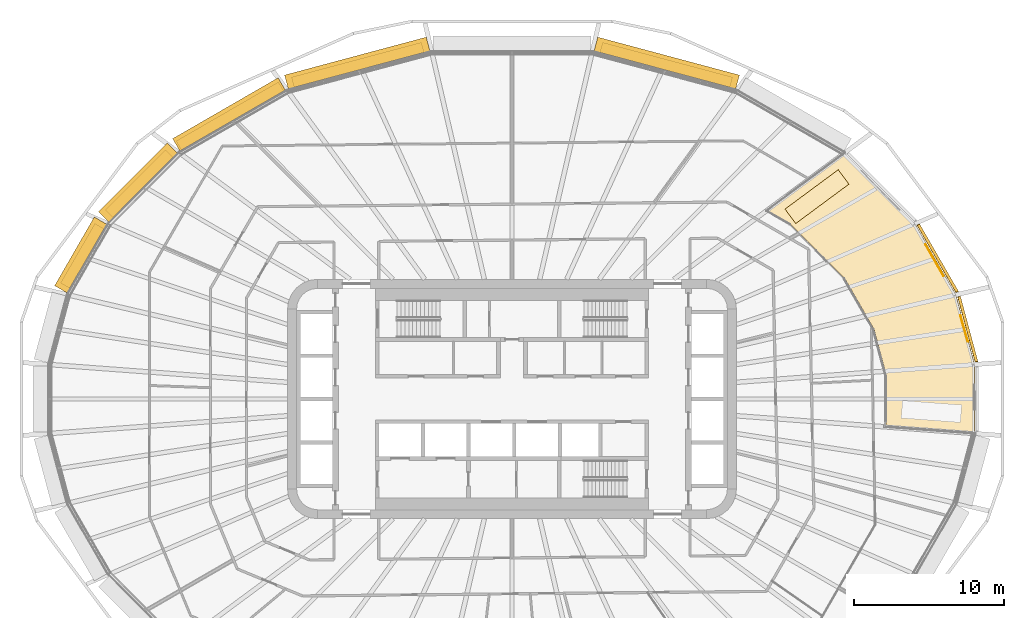
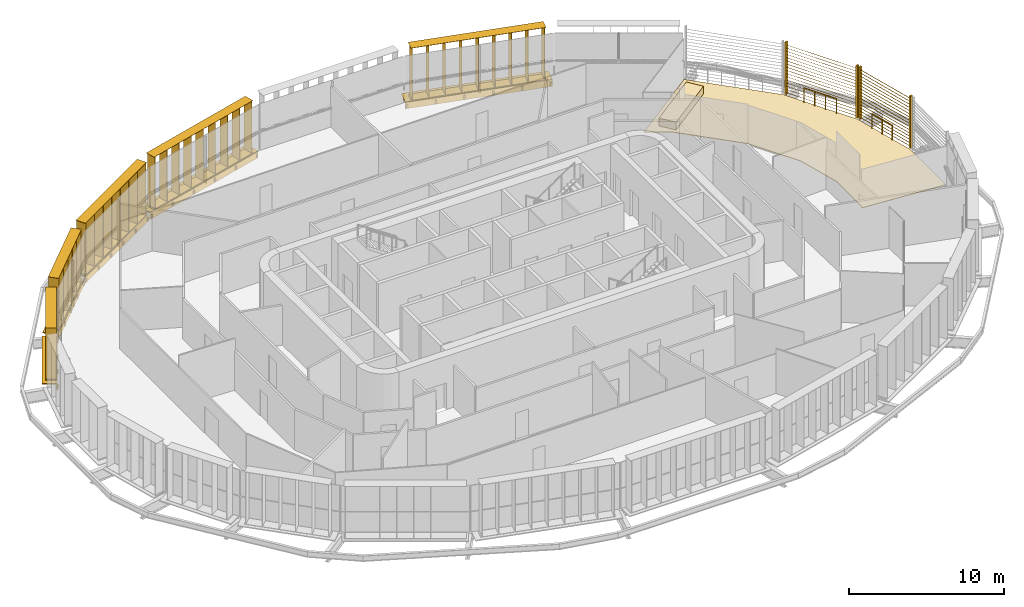
# One storey, part 23 of 24: 12 shading devices, 2 coverings, 2 railings.
"""IFC4 building model written with IfcOpenShell, lengths in metres."""

from ifc_helpers import new_model, si_unit, direction, frame, origin, origin_2d, place, context, subcontext, project, spatial, polyline, rectangle, circle, outline, extrude, material, layer, layer_set, type_object, element, save


model = new_model("IFC4")

# Units and contexts
model_context = context("Model", 3, precision=1e-05, world=origin(), true_north=direction((0.0, 1.0)))
body_context = subcontext(model_context, "Body", "Model", "MODEL_VIEW")
ifc_project = project(units=[si_unit("LENGTHUNIT", "METRE"), si_unit("AREAUNIT", "SQUARE_METRE"), si_unit("VOLUMEUNIT", "CUBIC_METRE"), si_unit("PLANEANGLEUNIT", "RADIAN"), si_unit("MASSUNIT", "GRAM", prefix="KILO")], contexts=[model_context])

# Site, building, storey
site_placement = place(None, origin())
site = spatial("IfcSite", under=ifc_project, at=site_placement, CompositionType="ELEMENT")
building_placement = place(site_placement, origin())
building = spatial("IfcBuilding", under=site, at=building_placement, Name="Sahrelin Media Tower", CompositionType="ELEMENT")
storey_placement = place(building_placement, frame((0.0, 0.0, 67.199951171875)))
storey = spatial("IfcBuildingStorey", under=building, at=storey_placement, Name="L11", CompositionType="ELEMENT", Elevation=67.199951171875)

# Shading devices
ifc_material_1 = material(Name="Champagne anodised aluminium 6063-T6", Category="aluminium")
shading_device_type_1 = type_object("IfcShadingDeviceType", Name="Fin cassette", PredefinedType="USERDEFINED", material=ifc_material_1)
placement_1 = place(storey_placement, frame((10.200439453125, 21.928955078125, 0.0), z_axis=(0.0, 0.0, 1.0), x_axis=(0.965928857556, -0.258807731996, 0.0)))
element("IfcShadingDevice", 1, at=placement_1, inside=storey, type_object=shading_device_type_1, Name="L11:FIN:L11-05", ObjectType="FIN", PredefinedType="USERDEFINED", context=body_context, shape_type="SweptSolid", body=[
    extrude(rectangle(XDim=9.0, YDim=0.699951171875, at=origin_2d()), frame((0.0, 0.419921875, 0.0)), (0.0, 0.0, 1.0), 0.02001953125),
    extrude(rectangle(XDim=9.0, YDim=0.699951171875, at=origin_2d()), frame((0.0, 0.419921875, 4.10009765625)), (0.0, 0.0, 1.0), 0.02001953125),
    extrude(rectangle(XDim=0.02001953125, YDim=0.699951171875, at=origin_2d()), frame((-4.39990234375, 0.419921875, 0.010009765625), z_axis=(0.0, 0.0, 1.0), x_axis=(1.0, 0.0, 0.0)), (0.0, 0.0, 1.0), 4.10009765625),
    extrude(rectangle(XDim=0.02001953125, YDim=0.699951171875, at=origin_2d()), frame((-3.300048828125, 0.419921875, 0.010009765625), z_axis=(0.0, 0.0, 1.0), x_axis=(1.0, 0.0, 0.0)), (0.0, 0.0, 1.0), 4.10009765625),
    extrude(rectangle(XDim=0.02001953125, YDim=0.699951171875, at=origin_2d()), frame((-2.199951171875, 0.419921875, 0.010009765625), z_axis=(0.0, 0.0, 1.0), x_axis=(1.0, 0.0, 0.0)), (0.0, 0.0, 1.0), 4.10009765625),
    extrude(rectangle(XDim=0.02001953125, YDim=0.699951171875, at=origin_2d()), frame((-1.10009765625, 0.419921875, 0.010009765625), z_axis=(0.0, 0.0, 1.0), x_axis=(1.0, 0.0, 0.0)), (0.0, 0.0, 1.0), 4.10009765625),
    extrude(rectangle(XDim=0.02001953125, YDim=0.699951171875, at=origin_2d()), frame((0.0, 0.419921875, 0.010009765625), z_axis=(0.0, 0.0, 1.0), x_axis=(1.0, 0.0, 0.0)), (0.0, 0.0, 1.0), 4.10009765625),
    extrude(rectangle(XDim=0.02001953125, YDim=0.699951171875, at=origin_2d()), frame((1.10009765625, 0.419921875, 0.010009765625), z_axis=(0.0, 0.0, 1.0), x_axis=(1.0, 0.0, 0.0)), (0.0, 0.0, 1.0), 4.10009765625),
    extrude(rectangle(XDim=0.02001953125, YDim=0.699951171875, at=origin_2d()), frame((2.199951171875, 0.419921875, 0.010009765625), z_axis=(0.0, 0.0, 1.0), x_axis=(1.0, 0.0, 0.0)), (0.0, 0.0, 1.0), 4.10009765625),
    extrude(rectangle(XDim=0.02001953125, YDim=0.699951171875, at=origin_2d()), frame((3.300048828125, 0.419921875, 0.010009765625), z_axis=(0.0, 0.0, 1.0), x_axis=(1.0, 0.0, 0.0)), (0.0, 0.0, 1.0), 4.10009765625),
    extrude(rectangle(XDim=0.02001953125, YDim=0.699951171875, at=origin_2d()), frame((4.39990234375, 0.419921875, 0.010009765625), z_axis=(0.0, 0.0, 1.0), x_axis=(1.0, 0.0, 0.0)), (0.0, 0.0, 1.0), 4.10009765625),
])
placement_2 = place(storey_placement, frame((-10.200439453125, 21.928955078125, 0.0), z_axis=(0.0, 0.0, 1.0), x_axis=(0.965928857556, 0.258807731996, 0.0)))
element("IfcShadingDevice", 2, at=placement_2, inside=storey, type_object=shading_device_type_1, Name="L11:FIN:L11-07", ObjectType="FIN", PredefinedType="USERDEFINED", context=body_context, shape_type="SweptSolid", body=[
    extrude(rectangle(XDim=9.0, YDim=0.699951171875, at=origin_2d()), frame((0.0, 0.419921875, 0.0)), (0.0, 0.0, 1.0), 0.02001953125),
    extrude(rectangle(XDim=9.0, YDim=0.699951171875, at=origin_2d()), frame((0.0, 0.419921875, 4.10009765625)), (0.0, 0.0, 1.0), 0.02001953125),
    extrude(rectangle(XDim=0.02001953125, YDim=0.699951171875, at=origin_2d()), frame((-4.39990234375, 0.419921875, 0.010009765625), z_axis=(0.0, 0.0, 1.0), x_axis=(1.0, 0.0, 0.0)), (0.0, 0.0, 1.0), 4.10009765625),
    extrude(rectangle(XDim=0.02001953125, YDim=0.699951171875, at=origin_2d()), frame((-3.300048828125, 0.419921875, 0.010009765625), z_axis=(0.0, 0.0, 1.0), x_axis=(1.0, 0.0, 0.0)), (0.0, 0.0, 1.0), 4.10009765625),
    extrude(rectangle(XDim=0.02001953125, YDim=0.699951171875, at=origin_2d()), frame((-2.199951171875, 0.419921875, 0.010009765625), z_axis=(0.0, 0.0, 1.0), x_axis=(1.0, 0.0, 0.0)), (0.0, 0.0, 1.0), 4.10009765625),
    extrude(rectangle(XDim=0.02001953125, YDim=0.699951171875, at=origin_2d()), frame((-1.10009765625, 0.419921875, 0.010009765625), z_axis=(0.0, 0.0, 1.0), x_axis=(1.0, 0.0, 0.0)), (0.0, 0.0, 1.0), 4.10009765625),
    extrude(rectangle(XDim=0.02001953125, YDim=0.699951171875, at=origin_2d()), frame((0.0, 0.419921875, 0.010009765625), z_axis=(0.0, 0.0, 1.0), x_axis=(1.0, 0.0, 0.0)), (0.0, 0.0, 1.0), 4.10009765625),
    extrude(rectangle(XDim=0.02001953125, YDim=0.699951171875, at=origin_2d()), frame((1.10009765625, 0.419921875, 0.010009765625), z_axis=(0.0, 0.0, 1.0), x_axis=(1.0, 0.0, 0.0)), (0.0, 0.0, 1.0), 4.10009765625),
    extrude(rectangle(XDim=0.02001953125, YDim=0.699951171875, at=origin_2d()), frame((2.199951171875, 0.419921875, 0.010009765625), z_axis=(0.0, 0.0, 1.0), x_axis=(1.0, 0.0, 0.0)), (0.0, 0.0, 1.0), 4.10009765625),
    extrude(rectangle(XDim=0.02001953125, YDim=0.699951171875, at=origin_2d()), frame((3.300048828125, 0.419921875, 0.010009765625), z_axis=(0.0, 0.0, 1.0), x_axis=(1.0, 0.0, 0.0)), (0.0, 0.0, 1.0), 4.10009765625),
    extrude(rectangle(XDim=0.02001953125, YDim=0.699951171875, at=origin_2d()), frame((4.39990234375, 0.419921875, 0.010009765625), z_axis=(0.0, 0.0, 1.0), x_axis=(1.0, 0.0, 0.0)), (0.0, 0.0, 1.0), 4.10009765625),
])
placement_3 = place(storey_placement, frame((-18.6416015625, 18.5498046875, 0.0), z_axis=(0.0, 0.0, 1.0), x_axis=(0.866019052629, 0.500011000363, 0.0)))
element("IfcShadingDevice", 3, at=placement_3, inside=storey, type_object=shading_device_type_1, Name="L11:FIN:L11-08", ObjectType="FIN", PredefinedType="USERDEFINED", context=body_context, shape_type="SweptSolid", body=[
    extrude(rectangle(XDim=7.89990234375, YDim=0.699951171875, at=origin_2d()), frame((0.0, 0.419921875, 0.0)), (0.0, 0.0, 1.0), 0.02001953125),
    extrude(rectangle(XDim=7.89990234375, YDim=0.699951171875, at=origin_2d()), frame((0.0, 0.419921875, 4.10009765625)), (0.0, 0.0, 1.0), 0.02001953125),
    extrude(rectangle(XDim=0.02001953125, YDim=0.699951171875, at=origin_2d()), frame((-3.85009765625, 0.419921875, 0.010009765625), z_axis=(0.0, 0.0, 1.0), x_axis=(1.0, 0.0, 0.0)), (0.0, 0.0, 1.0), 4.10009765625),
    extrude(rectangle(XDim=0.02001953125, YDim=0.699951171875, at=origin_2d()), frame((-2.75, 0.419921875, 0.010009765625), z_axis=(0.0, 0.0, 1.0), x_axis=(1.0, 0.0, 0.0)), (0.0, 0.0, 1.0), 4.10009765625),
    extrude(rectangle(XDim=0.02001953125, YDim=0.699951171875, at=origin_2d()), frame((-1.64990234375, 0.419921875, 0.010009765625), z_axis=(0.0, 0.0, 1.0), x_axis=(1.0, 0.0, 0.0)), (0.0, 0.0, 1.0), 4.10009765625),
    extrude(rectangle(XDim=0.02001953125, YDim=0.699951171875, at=origin_2d()), frame((-0.550048828125, 0.419921875, 0.010009765625), z_axis=(0.0, 0.0, 1.0), x_axis=(1.0, 0.0, 0.0)), (0.0, 0.0, 1.0), 4.10009765625),
    extrude(rectangle(XDim=0.02001953125, YDim=0.699951171875, at=origin_2d()), frame((0.550048828125, 0.419921875, 0.010009765625), z_axis=(0.0, 0.0, 1.0), x_axis=(1.0, 0.0, 0.0)), (0.0, 0.0, 1.0), 4.10009765625),
    extrude(rectangle(XDim=0.02001953125, YDim=0.699951171875, at=origin_2d()), frame((1.64990234375, 0.419921875, 0.010009765625), z_axis=(0.0, 0.0, 1.0), x_axis=(1.0, 0.0, 0.0)), (0.0, 0.0, 1.0), 4.10009765625),
    extrude(rectangle(XDim=0.02001953125, YDim=0.699951171875, at=origin_2d()), frame((2.75, 0.419921875, 0.010009765625), z_axis=(0.0, 0.0, 1.0), x_axis=(1.0, 0.0, 0.0)), (0.0, 0.0, 1.0), 4.10009765625),
    extrude(rectangle(XDim=0.02001953125, YDim=0.699951171875, at=origin_2d()), frame((3.85009765625, 0.419921875, 0.010009765625), z_axis=(0.0, 0.0, 1.0), x_axis=(1.0, 0.0, 0.0)), (0.0, 0.0, 1.0), 4.10009765625),
])
placement_4 = place(storey_placement, frame((-24.616455078125, 14.101318359375, 0.0), z_axis=(0.0, 0.0, 1.0), x_axis=(0.707106781187, 0.707106781187, 0.0)))
element("IfcShadingDevice", 4, at=placement_4, inside=storey, type_object=shading_device_type_1, Name="L11:FIN:L11-09", ObjectType="FIN", PredefinedType="USERDEFINED", context=body_context, shape_type="SweptSolid", body=[
    extrude(rectangle(XDim=5.699951171875, YDim=0.699951171875, at=origin_2d()), frame((0.0, 0.419921875, 0.0)), (0.0, 0.0, 1.0), 0.02001953125),
    extrude(rectangle(XDim=5.699951171875, YDim=0.699951171875, at=origin_2d()), frame((0.0, 0.419921875, 4.10009765625)), (0.0, 0.0, 1.0), 0.02001953125),
    extrude(rectangle(XDim=0.02001953125, YDim=0.699951171875, at=origin_2d()), frame((-2.75, 0.419921875, 0.010009765625), z_axis=(0.0, 0.0, 1.0), x_axis=(1.0, 0.0, 0.0)), (0.0, 0.0, 1.0), 4.10009765625),
    extrude(rectangle(XDim=0.02001953125, YDim=0.699951171875, at=origin_2d()), frame((-1.64990234375, 0.419921875, 0.010009765625), z_axis=(0.0, 0.0, 1.0), x_axis=(1.0, 0.0, 0.0)), (0.0, 0.0, 1.0), 4.10009765625),
    extrude(rectangle(XDim=0.02001953125, YDim=0.699951171875, at=origin_2d()), frame((-0.550048828125, 0.419921875, 0.010009765625), z_axis=(0.0, 0.0, 1.0), x_axis=(1.0, 0.0, 0.0)), (0.0, 0.0, 1.0), 4.10009765625),
    extrude(rectangle(XDim=0.02001953125, YDim=0.699951171875, at=origin_2d()), frame((0.550048828125, 0.419921875, 0.010009765625), z_axis=(0.0, 0.0, 1.0), x_axis=(1.0, 0.0, 0.0)), (0.0, 0.0, 1.0), 4.10009765625),
    extrude(rectangle(XDim=0.02001953125, YDim=0.699951171875, at=origin_2d()), frame((1.64990234375, 0.419921875, 0.010009765625), z_axis=(0.0, 0.0, 1.0), x_axis=(1.0, 0.0, 0.0)), (0.0, 0.0, 1.0), 4.10009765625),
    extrude(rectangle(XDim=0.02001953125, YDim=0.699951171875, at=origin_2d()), frame((2.75, 0.419921875, 0.010009765625), z_axis=(0.0, 0.0, 1.0), x_axis=(1.0, 0.0, 0.0)), (0.0, 0.0, 1.0), 4.10009765625),
])
placement_5 = place(storey_placement, frame((-28.354736328125, 9.356689453125, 0.0), z_axis=(0.0, 0.0, 1.0), x_axis=(0.500011000363, 0.866019052629, 0.0)))
element("IfcShadingDevice", 5, at=placement_5, inside=storey, type_object=shading_device_type_1, Name="L11:FIN:L11-10", ObjectType="FIN", PredefinedType="USERDEFINED", context=body_context, shape_type="SweptSolid", body=[
    extrude(rectangle(XDim=4.60009765625, YDim=0.699951171875, at=origin_2d()), frame((0.0, 0.419921875, 0.0)), (0.0, 0.0, 1.0), 0.02001953125),
    extrude(rectangle(XDim=4.60009765625, YDim=0.699951171875, at=origin_2d()), frame((0.0, 0.419921875, 4.10009765625)), (0.0, 0.0, 1.0), 0.02001953125),
    extrude(rectangle(XDim=0.02001953125, YDim=0.699951171875, at=origin_2d()), frame((-2.199951171875, 0.419921875, 0.010009765625), z_axis=(0.0, 0.0, 1.0), x_axis=(1.0, 0.0, 0.0)), (0.0, 0.0, 1.0), 4.10009765625),
    extrude(rectangle(XDim=0.02001953125, YDim=0.699951171875, at=origin_2d()), frame((-1.10009765625, 0.419921875, 0.010009765625), z_axis=(0.0, 0.0, 1.0), x_axis=(1.0, 0.0, 0.0)), (0.0, 0.0, 1.0), 4.10009765625),
    extrude(rectangle(XDim=0.02001953125, YDim=0.699951171875, at=origin_2d()), frame((0.0, 0.419921875, 0.010009765625), z_axis=(0.0, 0.0, 1.0), x_axis=(1.0, 0.0, 0.0)), (0.0, 0.0, 1.0), 4.10009765625),
    extrude(rectangle(XDim=0.02001953125, YDim=0.699951171875, at=origin_2d()), frame((1.10009765625, 0.419921875, 0.010009765625), z_axis=(0.0, 0.0, 1.0), x_axis=(1.0, 0.0, 0.0)), (0.0, 0.0, 1.0), 4.10009765625),
    extrude(rectangle(XDim=0.02001953125, YDim=0.699951171875, at=origin_2d()), frame((2.199951171875, 0.419921875, 0.010009765625), z_axis=(0.0, 0.0, 1.0), x_axis=(1.0, 0.0, 0.0)), (0.0, 0.0, 1.0), 4.10009765625),
])

# Covering
ifc_material_2 = material(Name="Stone paving", Category="masonry")
ifc_layer = layer(ifc_material_2, 0.0400390625)
ifc_layer_set = layer_set([ifc_layer], Name="Garden paving")
covering_type_1 = type_object("IfcCoveringType", Name="Garden paving", PredefinedType="FLOORING", material=ifc_layer_set)
covering_1_placement = place(storey_placement, origin())
element("IfcCovering", 6, at=covering_1_placement, inside=storey, type_object=covering_type_1, Name="Garden paving G1", PredefinedType="FLOORING", context=body_context, shape_type="SweptSolid", body=[
    extrude(outline(polyline([(29.682861328125, 6.956298828125), (30.9296875, 2.302734375), (30.9296875, -2.25537109375), (24.95361328125, -1.809814453125), (25.02978515625, -1.52587890625), (25.02978515625, 1.52587890625), (24.18505859375, 4.678955078125), (22.21875, 8.08447265625), (18.599365234375, 11.703857421875), (17.084228515625, 12.57861328125), (22.247802734375, 16.3994140625), (26.93994140625, 11.70703125), (29.682861328125, 6.956298828125)])), origin(), (0.0, 0.0, 1.0), 0.0400390625),
])

# Shading devices
shading_device_type_2 = type_object("IfcShadingDeviceType", Name="Garden screen", PredefinedType="USERDEFINED", material=ifc_material_1)
shading_device_6_placement = place(storey_placement, frame((30.3544921875, 4.642333984375, 0.0), z_axis=(0.0, 0.0, 1.0), x_axis=(0.258807731996, -0.965928857556, 0.0)))
element("IfcShadingDevice", 7, at=shading_device_6_placement, inside=storey, type_object=shading_device_type_2, Name="L11:SCREEN:L11-01", ObjectType="SCREEN", PredefinedType="USERDEFINED", context=body_context, shape_type="SweptSolid", body=[
    extrude(rectangle(XDim=0.1201171875, YDim=0.199951171875, at=origin_2d()), frame((2.305419921875, 0.10009765625, 0.050048828125), z_axis=(0.0, 0.0, 1.0), x_axis=(1.0, 0.0, 0.0)), (0.0, 0.0, 1.0), 4.099853515625),
    extrude(rectangle(XDim=0.1201171875, YDim=0.199951171875, at=origin_2d()), frame((-2.305419921875, 0.10009765625, 0.050048828125), z_axis=(0.0, 0.0, 1.0), x_axis=(1.0, 0.0, 0.0)), (0.0, 0.0, 1.0), 4.099853515625),
    extrude(rectangle(XDim=0.25, YDim=0.02001953125, at=origin_2d()), frame((2.245361328125, 0.10009765625, 0.14990234375), z_axis=(-1.0, 0.0, 0.0), x_axis=(0.0, -0.766044443119, 0.642787609687)), (0.0, 0.0, 1.0), 4.49072265625),
    extrude(rectangle(XDim=0.25, YDim=0.02001953125, at=origin_2d()), frame((2.245361328125, 0.10009765625, 0.39990234375), z_axis=(-1.0, 0.0, 0.0), x_axis=(0.0, -0.766044443119, 0.642787609687)), (0.0, 0.0, 1.0), 4.49072265625),
    extrude(rectangle(XDim=0.25, YDim=0.02001953125, at=origin_2d()), frame((2.245361328125, 0.10009765625, 0.64990234375), z_axis=(-1.0, 0.0, 0.0), x_axis=(0.0, -0.766044443119, 0.642787609687)), (0.0, 0.0, 1.0), 4.49072265625),
    extrude(rectangle(XDim=0.25, YDim=0.02001953125, at=origin_2d()), frame((2.245361328125, 0.10009765625, 0.89990234375), z_axis=(-1.0, 0.0, 0.0), x_axis=(0.0, -0.766044443119, 0.642787609687)), (0.0, 0.0, 1.0), 4.49072265625),
    extrude(rectangle(XDim=0.25, YDim=0.02001953125, at=origin_2d()), frame((2.245361328125, 0.10009765625, 1.14990234375), z_axis=(-1.0, 0.0, 0.0), x_axis=(0.0, -0.766044443119, 0.642787609687)), (0.0, 0.0, 1.0), 4.49072265625),
    extrude(rectangle(XDim=0.25, YDim=0.02001953125, at=origin_2d()), frame((2.245361328125, 0.10009765625, 1.39990234375), z_axis=(-1.0, 0.0, 0.0), x_axis=(0.0, -0.766044443119, 0.642787609687)), (0.0, 0.0, 1.0), 4.49072265625),
    extrude(rectangle(XDim=0.25, YDim=0.02001953125, at=origin_2d()), frame((2.245361328125, 0.10009765625, 1.64990234375), z_axis=(-1.0, 0.0, 0.0), x_axis=(0.0, -0.766044443119, 0.642787609687)), (0.0, 0.0, 1.0), 4.49072265625),
    extrude(rectangle(XDim=0.25, YDim=0.02001953125, at=origin_2d()), frame((2.245361328125, 0.10009765625, 1.89990234375), z_axis=(-1.0, 0.0, 0.0), x_axis=(0.0, -0.766044443119, 0.642787609687)), (0.0, 0.0, 1.0), 4.49072265625),
    extrude(rectangle(XDim=0.25, YDim=0.02001953125, at=origin_2d()), frame((2.245361328125, 0.10009765625, 2.14990234375), z_axis=(-1.0, 0.0, 0.0), x_axis=(0.0, -0.766044443119, 0.642787609687)), (0.0, 0.0, 1.0), 4.49072265625),
    extrude(rectangle(XDim=0.25, YDim=0.02001953125, at=origin_2d()), frame((2.245361328125, 0.10009765625, 2.39990234375), z_axis=(-1.0, 0.0, 0.0), x_axis=(0.0, -0.766044443119, 0.642787609687)), (0.0, 0.0, 1.0), 4.49072265625),
    extrude(rectangle(XDim=0.25, YDim=0.02001953125, at=origin_2d()), frame((2.245361328125, 0.10009765625, 2.64990234375), z_axis=(-1.0, 0.0, 0.0), x_axis=(0.0, -0.766044443119, 0.642787609687)), (0.0, 0.0, 1.0), 4.49072265625),
    extrude(rectangle(XDim=0.25, YDim=0.02001953125, at=origin_2d()), frame((2.245361328125, 0.10009765625, 2.89990234375), z_axis=(-1.0, 0.0, 0.0), x_axis=(0.0, -0.766044443119, 0.642787609687)), (0.0, 0.0, 1.0), 4.49072265625),
    extrude(rectangle(XDim=0.25, YDim=0.02001953125, at=origin_2d()), frame((2.245361328125, 0.10009765625, 3.14990234375), z_axis=(-1.0, 0.0, 0.0), x_axis=(0.0, -0.766044443119, 0.642787609687)), (0.0, 0.0, 1.0), 4.49072265625),
    extrude(rectangle(XDim=0.25, YDim=0.02001953125, at=origin_2d()), frame((2.245361328125, 0.10009765625, 3.39990234375), z_axis=(-1.0, 0.0, 0.0), x_axis=(0.0, -0.766044443119, 0.642787609687)), (0.0, 0.0, 1.0), 4.49072265625),
    extrude(rectangle(XDim=0.25, YDim=0.02001953125, at=origin_2d()), frame((2.245361328125, 0.10009765625, 3.64990234375), z_axis=(-1.0, 0.0, 0.0), x_axis=(0.0, -0.766044443119, 0.642787609687)), (0.0, 0.0, 1.0), 4.49072265625),
    extrude(rectangle(XDim=0.25, YDim=0.02001953125, at=origin_2d()), frame((2.245361328125, 0.10009765625, 3.89990234375), z_axis=(-1.0, 0.0, 0.0), x_axis=(0.0, -0.766044443119, 0.642787609687)), (0.0, 0.0, 1.0), 4.49072265625),
])
shading_device_7_placement = place(storey_placement, frame((28.354736328125, 9.356689453125, 0.0), z_axis=(0.0, 0.0, 1.0), x_axis=(0.500011000363, -0.866019052629, 0.0)))
element("IfcShadingDevice", 8, at=shading_device_7_placement, inside=storey, type_object=shading_device_type_2, Name="L11:SCREEN:L11-02", ObjectType="SCREEN", PredefinedType="USERDEFINED", context=body_context, shape_type="SweptSolid", body=[
    extrude(rectangle(XDim=0.1201171875, YDim=0.199951171875, at=origin_2d()), frame((2.639404296875, 0.10009765625, 0.050048828125), z_axis=(0.0, 0.0, 1.0), x_axis=(1.0, 0.0, 0.0)), (0.0, 0.0, 1.0), 4.099853515625),
    extrude(rectangle(XDim=0.1201171875, YDim=0.199951171875, at=origin_2d()), frame((-2.639404296875, 0.10009765625, 0.050048828125), z_axis=(0.0, 0.0, 1.0), x_axis=(1.0, 0.0, 0.0)), (0.0, 0.0, 1.0), 4.099853515625),
    extrude(rectangle(XDim=0.25, YDim=0.02001953125, at=origin_2d()), frame((2.57958984375, 0.10009765625, 0.14990234375), z_axis=(-1.0, 0.0, 0.0), x_axis=(0.0, -0.766044443119, 0.642787609687)), (0.0, 0.0, 1.0), 5.1591796875),
    extrude(rectangle(XDim=0.25, YDim=0.02001953125, at=origin_2d()), frame((2.57958984375, 0.10009765625, 0.39990234375), z_axis=(-1.0, 0.0, 0.0), x_axis=(0.0, -0.766044443119, 0.642787609687)), (0.0, 0.0, 1.0), 5.1591796875),
    extrude(rectangle(XDim=0.25, YDim=0.02001953125, at=origin_2d()), frame((2.57958984375, 0.10009765625, 0.64990234375), z_axis=(-1.0, 0.0, 0.0), x_axis=(0.0, -0.766044443119, 0.642787609687)), (0.0, 0.0, 1.0), 5.1591796875),
    extrude(rectangle(XDim=0.25, YDim=0.02001953125, at=origin_2d()), frame((2.57958984375, 0.10009765625, 0.89990234375), z_axis=(-1.0, 0.0, 0.0), x_axis=(0.0, -0.766044443119, 0.642787609687)), (0.0, 0.0, 1.0), 5.1591796875),
    extrude(rectangle(XDim=0.25, YDim=0.02001953125, at=origin_2d()), frame((2.57958984375, 0.10009765625, 1.14990234375), z_axis=(-1.0, 0.0, 0.0), x_axis=(0.0, -0.766044443119, 0.642787609687)), (0.0, 0.0, 1.0), 5.1591796875),
    extrude(rectangle(XDim=0.25, YDim=0.02001953125, at=origin_2d()), frame((2.57958984375, 0.10009765625, 1.39990234375), z_axis=(-1.0, 0.0, 0.0), x_axis=(0.0, -0.766044443119, 0.642787609687)), (0.0, 0.0, 1.0), 5.1591796875),
    extrude(rectangle(XDim=0.25, YDim=0.02001953125, at=origin_2d()), frame((2.57958984375, 0.10009765625, 1.64990234375), z_axis=(-1.0, 0.0, 0.0), x_axis=(0.0, -0.766044443119, 0.642787609687)), (0.0, 0.0, 1.0), 5.1591796875),
    extrude(rectangle(XDim=0.25, YDim=0.02001953125, at=origin_2d()), frame((2.57958984375, 0.10009765625, 1.89990234375), z_axis=(-1.0, 0.0, 0.0), x_axis=(0.0, -0.766044443119, 0.642787609687)), (0.0, 0.0, 1.0), 5.1591796875),
    extrude(rectangle(XDim=0.25, YDim=0.02001953125, at=origin_2d()), frame((2.57958984375, 0.10009765625, 2.14990234375), z_axis=(-1.0, 0.0, 0.0), x_axis=(0.0, -0.766044443119, 0.642787609687)), (0.0, 0.0, 1.0), 5.1591796875),
    extrude(rectangle(XDim=0.25, YDim=0.02001953125, at=origin_2d()), frame((2.57958984375, 0.10009765625, 2.39990234375), z_axis=(-1.0, 0.0, 0.0), x_axis=(0.0, -0.766044443119, 0.642787609687)), (0.0, 0.0, 1.0), 5.1591796875),
    extrude(rectangle(XDim=0.25, YDim=0.02001953125, at=origin_2d()), frame((2.57958984375, 0.10009765625, 2.64990234375), z_axis=(-1.0, 0.0, 0.0), x_axis=(0.0, -0.766044443119, 0.642787609687)), (0.0, 0.0, 1.0), 5.1591796875),
    extrude(rectangle(XDim=0.25, YDim=0.02001953125, at=origin_2d()), frame((2.57958984375, 0.10009765625, 2.89990234375), z_axis=(-1.0, 0.0, 0.0), x_axis=(0.0, -0.766044443119, 0.642787609687)), (0.0, 0.0, 1.0), 5.1591796875),
    extrude(rectangle(XDim=0.25, YDim=0.02001953125, at=origin_2d()), frame((2.57958984375, 0.10009765625, 3.14990234375), z_axis=(-1.0, 0.0, 0.0), x_axis=(0.0, -0.766044443119, 0.642787609687)), (0.0, 0.0, 1.0), 5.1591796875),
    extrude(rectangle(XDim=0.25, YDim=0.02001953125, at=origin_2d()), frame((2.57958984375, 0.10009765625, 3.39990234375), z_axis=(-1.0, 0.0, 0.0), x_axis=(0.0, -0.766044443119, 0.642787609687)), (0.0, 0.0, 1.0), 5.1591796875),
    extrude(rectangle(XDim=0.25, YDim=0.02001953125, at=origin_2d()), frame((2.57958984375, 0.10009765625, 3.64990234375), z_axis=(-1.0, 0.0, 0.0), x_axis=(0.0, -0.766044443119, 0.642787609687)), (0.0, 0.0, 1.0), 5.1591796875),
    extrude(rectangle(XDim=0.25, YDim=0.02001953125, at=origin_2d()), frame((2.57958984375, 0.10009765625, 3.89990234375), z_axis=(-1.0, 0.0, 0.0), x_axis=(0.0, -0.766044443119, 0.642787609687)), (0.0, 0.0, 1.0), 5.1591796875),
])

# Railings
ifc_material_3 = material(Name="Stainless steel 316", Category="steel")
railing_type = type_object("IfcRailingType", Name="Sky garden guard", PredefinedType="GUARDRAIL", material=ifc_material_3)
railing_1_placement = place(storey_placement, frame((30.4658203125, 3.831298828125, 0.0)))
element("IfcRailing", 9, at=railing_1_placement, inside=storey, type_object=railing_type, Name="Sky garden guard G1-2", PredefinedType="GUARDRAIL", context=body_context, shape_type="SweptSolid", body=[
    extrude(circle(Radius=0.02392578125, at=origin_2d()), frame((0.0, 0.0, 1.17578125), z_axis=(-0.27187571897, 0.962332371603, 0.0), x_axis=(-0.962332371603, -0.27187571897, 0.0)), (0.0, 0.0, 1.0), 1.81396484375),
    extrude(circle(Radius=0.02099609375, at=origin_2d()), origin(), (0.0, 0.0, 1.0), 1.15185546875),
    extrude(circle(Radius=0.02099609375, at=origin_2d()), frame((-0.24658203125, 0.872802734375, 0.0)), (0.0, 0.0, 1.0), 1.15185546875),
    extrude(circle(Radius=0.02099609375, at=origin_2d()), frame((-0.4931640625, 1.74560546875, 0.0)), (0.0, 0.0, 1.0), 1.15185546875),
])
railing_2_placement = place(storey_placement, frame((28.841796875, 8.218017578125, 0.0)))
element("IfcRailing", 10, at=railing_2_placement, inside=storey, type_object=railing_type, Name="Sky garden guard G1-3", PredefinedType="GUARDRAIL", context=body_context, shape_type="SweptSolid", body=[
    extrude(circle(Radius=0.02392578125, at=origin_2d()), frame((0.0, 0.0, 1.17578125), z_axis=(-0.495312726853, 0.868714741798, 0.0), x_axis=(-0.868714741798, -0.495312726853, 0.0)), (0.0, 0.0, 1.0), 2.419189453125),
    extrude(circle(Radius=0.02099609375, at=origin_2d()), origin(), (0.0, 0.0, 1.0), 1.15185546875),
    extrude(circle(Radius=0.02099609375, at=origin_2d()), frame((-0.3994140625, 0.700439453125, 0.0)), (0.0, 0.0, 1.0), 1.15185546875),
    extrude(circle(Radius=0.02099609375, at=origin_2d()), frame((-0.798828125, 1.401123046875, 0.0)), (0.0, 0.0, 1.0), 1.15185546875),
    extrude(circle(Radius=0.02099609375, at=origin_2d()), frame((-1.1982421875, 2.1015625, 0.0)), (0.0, 0.0, 1.0), 1.15185546875),
])

# Covering
ifc_material_4 = material(Name="Planting and soil")
covering_type_2 = type_object("IfcCoveringType", Name="Sky garden planter", PredefinedType="USERDEFINED", material=ifc_material_4)
covering_2_placement = place(storey_placement, frame((20.3798828125, 13.5244140625, 0.0400390625), z_axis=(0.0, 0.0, 1.0), x_axis=(0.803876585246, 0.594796129521, 0.0)))
element("IfcCovering", 11, at=covering_2_placement, inside=storey, type_object=covering_type_2, Name="Sky garden planter G1-1", ObjectType="PLANTER", PredefinedType="USERDEFINED", context=body_context, shape_type="SweptSolid", body=[
    extrude(rectangle(XDim=4.42333984375, YDim=1.199951171875, at=origin_2d()), origin(), (0.0, 0.0, 1.0), 0.60009765625),
])

# Shading devices
shading_device_type_3 = type_object("IfcShadingDeviceType", Name="Sunshade band", PredefinedType="USERDEFINED", material=ifc_material_1)
element("IfcShadingDevice", 12, at=placement_1, inside=storey, type_object=shading_device_type_3, Name="L11:SUN:L11-05", ObjectType="SUNSHADE", PredefinedType="USERDEFINED", context=body_context, shape_type="SweptSolid", body=[
    extrude(rectangle(XDim=9.801025390625, YDim=0.050048828125, at=origin_2d()), frame((0.0, 0.044921875, -0.55126953125)), (0.0, 0.0, 1.0), 0.471435546875),
    extrude(rectangle(XDim=9.801025390625, YDim=1.0, at=origin_2d()), frame((0.0, 0.52001953125, -0.080078125)), (0.0, 0.0, 1.0), 0.080078125),
    extrude(rectangle(XDim=0.10009765625, YDim=0.074951171875, at=origin_2d()), frame((-4.800537109375, -0.017578125, -0.47021484375)), (0.0, 0.0, 1.0), 0.300048828125),
    extrude(rectangle(XDim=0.10009765625, YDim=0.074951171875, at=origin_2d()), frame((-2.88037109375, -0.017578125, -0.47021484375)), (0.0, 0.0, 1.0), 0.300048828125),
    extrude(rectangle(XDim=0.10009765625, YDim=0.074951171875, at=origin_2d()), frame((-0.960205078125, -0.017578125, -0.47021484375)), (0.0, 0.0, 1.0), 0.300048828125),
    extrude(rectangle(XDim=0.10009765625, YDim=0.074951171875, at=origin_2d()), frame((0.960205078125, -0.017578125, -0.47021484375)), (0.0, 0.0, 1.0), 0.300048828125),
    extrude(rectangle(XDim=0.10009765625, YDim=0.074951171875, at=origin_2d()), frame((2.88037109375, -0.017578125, -0.47021484375)), (0.0, 0.0, 1.0), 0.300048828125),
    extrude(rectangle(XDim=0.10009765625, YDim=0.074951171875, at=origin_2d()), frame((4.800537109375, -0.017578125, -0.47021484375)), (0.0, 0.0, 1.0), 0.300048828125),
])
element("IfcShadingDevice", 13, at=placement_2, inside=storey, type_object=shading_device_type_3, Name="L11:SUN:L11-07", ObjectType="SUNSHADE", PredefinedType="USERDEFINED", context=body_context, shape_type="SweptSolid", body=[
    extrude(rectangle(XDim=9.801025390625, YDim=0.050048828125, at=origin_2d()), frame((0.0, 0.044921875, -0.55126953125)), (0.0, 0.0, 1.0), 0.471435546875),
    extrude(rectangle(XDim=9.801025390625, YDim=1.0, at=origin_2d()), frame((0.0, 0.52001953125, -0.080078125)), (0.0, 0.0, 1.0), 0.080078125),
    extrude(rectangle(XDim=0.10009765625, YDim=0.074951171875, at=origin_2d()), frame((-4.800537109375, -0.017578125, -0.47021484375)), (0.0, 0.0, 1.0), 0.300048828125),
    extrude(rectangle(XDim=0.10009765625, YDim=0.074951171875, at=origin_2d()), frame((-2.88037109375, -0.017578125, -0.47021484375)), (0.0, 0.0, 1.0), 0.300048828125),
    extrude(rectangle(XDim=0.10009765625, YDim=0.074951171875, at=origin_2d()), frame((-0.960205078125, -0.017578125, -0.47021484375)), (0.0, 0.0, 1.0), 0.300048828125),
    extrude(rectangle(XDim=0.10009765625, YDim=0.074951171875, at=origin_2d()), frame((0.960205078125, -0.017578125, -0.47021484375)), (0.0, 0.0, 1.0), 0.300048828125),
    extrude(rectangle(XDim=0.10009765625, YDim=0.074951171875, at=origin_2d()), frame((2.88037109375, -0.017578125, -0.47021484375)), (0.0, 0.0, 1.0), 0.300048828125),
    extrude(rectangle(XDim=0.10009765625, YDim=0.074951171875, at=origin_2d()), frame((4.800537109375, -0.017578125, -0.47021484375)), (0.0, 0.0, 1.0), 0.300048828125),
])
element("IfcShadingDevice", 14, at=placement_3, inside=storey, type_object=shading_device_type_3, Name="L11:SUN:L11-08", ObjectType="SUNSHADE", PredefinedType="USERDEFINED", context=body_context, shape_type="SweptSolid", body=[
    extrude(rectangle(XDim=8.139404296875, YDim=0.050048828125, at=origin_2d()), frame((0.0, 0.044921875, -0.55126953125)), (0.0, 0.0, 1.0), 0.471435546875),
    extrude(rectangle(XDim=8.139404296875, YDim=1.0, at=origin_2d()), frame((0.0, 0.52001953125, -0.080078125)), (0.0, 0.0, 1.0), 0.080078125),
    extrude(rectangle(XDim=0.10009765625, YDim=0.074951171875, at=origin_2d()), frame((-3.9697265625, -0.017578125, -0.47021484375)), (0.0, 0.0, 1.0), 0.300048828125),
    extrude(rectangle(XDim=0.10009765625, YDim=0.074951171875, at=origin_2d()), frame((-2.3818359375, -0.017578125, -0.47021484375)), (0.0, 0.0, 1.0), 0.300048828125),
    extrude(rectangle(XDim=0.10009765625, YDim=0.074951171875, at=origin_2d()), frame((-0.7939453125, -0.017578125, -0.47021484375)), (0.0, 0.0, 1.0), 0.300048828125),
    extrude(rectangle(XDim=0.10009765625, YDim=0.074951171875, at=origin_2d()), frame((0.7939453125, -0.017578125, -0.47021484375)), (0.0, 0.0, 1.0), 0.300048828125),
    extrude(rectangle(XDim=0.10009765625, YDim=0.074951171875, at=origin_2d()), frame((2.3818359375, -0.017578125, -0.47021484375)), (0.0, 0.0, 1.0), 0.300048828125),
    extrude(rectangle(XDim=0.10009765625, YDim=0.074951171875, at=origin_2d()), frame((3.9697265625, -0.017578125, -0.47021484375)), (0.0, 0.0, 1.0), 0.300048828125),
])
element("IfcShadingDevice", 15, at=placement_4, inside=storey, type_object=shading_device_type_3, Name="L11:SUN:L11-09", ObjectType="SUNSHADE", PredefinedType="USERDEFINED", context=body_context, shape_type="SweptSolid", body=[
    extrude(rectangle(XDim=6.4853515625, YDim=0.050048828125, at=origin_2d()), frame((0.0, 0.044921875, -0.55126953125)), (0.0, 0.0, 1.0), 0.471435546875),
    extrude(rectangle(XDim=6.4853515625, YDim=1.0, at=origin_2d()), frame((0.0, 0.52001953125, -0.080078125)), (0.0, 0.0, 1.0), 0.080078125),
    extrude(rectangle(XDim=0.10009765625, YDim=0.074951171875, at=origin_2d()), frame((-3.142578125, -0.017578125, -0.47021484375)), (0.0, 0.0, 1.0), 0.300048828125),
    extrude(rectangle(XDim=0.10009765625, YDim=0.074951171875, at=origin_2d()), frame((-1.5712890625, -0.017578125, -0.47021484375)), (0.0, 0.0, 1.0), 0.300048828125),
    extrude(rectangle(XDim=0.10009765625, YDim=0.074951171875, at=origin_2d()), frame((0.0, -0.017578125, -0.47021484375)), (0.0, 0.0, 1.0), 0.300048828125),
    extrude(rectangle(XDim=0.10009765625, YDim=0.074951171875, at=origin_2d()), frame((1.5712890625, -0.017578125, -0.47021484375)), (0.0, 0.0, 1.0), 0.300048828125),
    extrude(rectangle(XDim=0.10009765625, YDim=0.074951171875, at=origin_2d()), frame((3.142578125, -0.017578125, -0.47021484375)), (0.0, 0.0, 1.0), 0.300048828125),
])
element("IfcShadingDevice", 16, at=placement_5, inside=storey, type_object=shading_device_type_3, Name="L11:SUN:L11-10", ObjectType="SUNSHADE", PredefinedType="USERDEFINED", context=body_context, shape_type="SweptSolid", body=[
    extrude(rectangle(XDim=5.299072265625, YDim=0.050048828125, at=origin_2d()), frame((0.0, 0.044921875, -0.55126953125)), (0.0, 0.0, 1.0), 0.471435546875),
    extrude(rectangle(XDim=5.299072265625, YDim=1.0, at=origin_2d()), frame((0.0, 0.52001953125, -0.080078125)), (0.0, 0.0, 1.0), 0.080078125),
    extrude(rectangle(XDim=0.10009765625, YDim=0.074951171875, at=origin_2d()), frame((-2.549560546875, -0.017578125, -0.47021484375)), (0.0, 0.0, 1.0), 0.300048828125),
    extrude(rectangle(XDim=0.10009765625, YDim=0.074951171875, at=origin_2d()), frame((-0.849853515625, -0.017578125, -0.47021484375)), (0.0, 0.0, 1.0), 0.300048828125),
    extrude(rectangle(XDim=0.10009765625, YDim=0.074951171875, at=origin_2d()), frame((0.849853515625, -0.017578125, -0.47021484375)), (0.0, 0.0, 1.0), 0.300048828125),
    extrude(rectangle(XDim=0.10009765625, YDim=0.074951171875, at=origin_2d()), frame((2.549560546875, -0.017578125, -0.47021484375)), (0.0, 0.0, 1.0), 0.300048828125),
])

save(model, "model.ifc")
